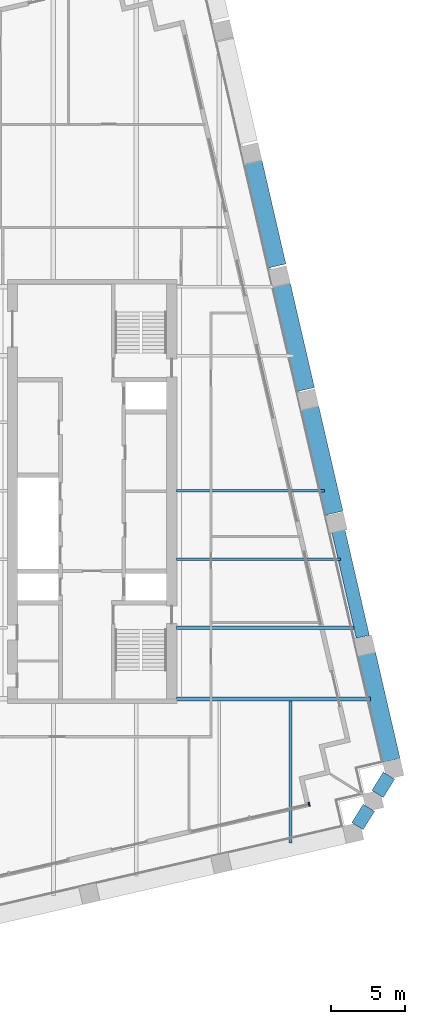
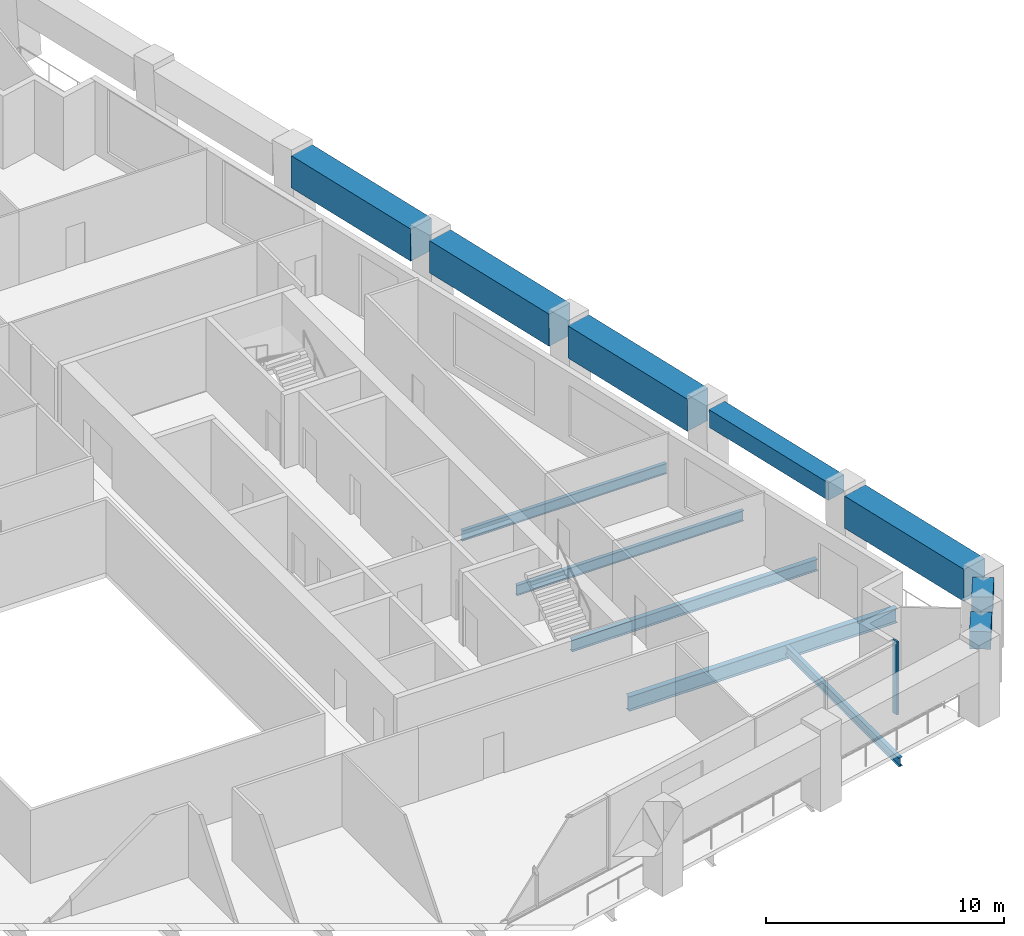
# One storey, part 5 of 14: 12 beams, 1 member, 1 element without a shape of its own.
"""IFC4 building model written with IfcOpenShell, lengths in metres."""

import ifcopenshell
import ifcopenshell.guid

model = None  # the IFC model being written
_history = None  # IfcOwnerHistory: only IFC2X3 demands one
_inside = {}  # id of a spatial element -> (the spatial element, [elements in it])
_under = {}  # id of a project, library or spatial element -> (it, [spatial elements below it])
_declared = {}  # id of a project -> (the project, [libraries it declares])
_typed = {}  # id of a type object -> (the type object, [elements of that type])
_made_of = {}  # id of a material, layer set ... -> (it, [elements and type objects made of it])


def new_model(schema):
    """Start an empty IFC model of exactly this schema.

    Asked for "IFC4X3", IfcOpenShell would pick the latest addendum, in which some entities
    have other attributes; the version numbers below select the first issue.
    IFC2X3 requires an IfcOwnerHistory on every rooted entity: one is made here for all.
    """
    global model, _history
    if schema == "IFC4X3":
        model = ifcopenshell.file(schema_version=(4, 3, 0, 0))
    else:
        model = ifcopenshell.file(schema=schema)
    _inside.clear()
    _under.clear()
    _declared.clear()
    _typed.clear()
    _made_of.clear()
    _history = None
    if model.schema == "IFC2X3":
        org = make("IfcOrganization", Name="unknown")
        user = make(
            "IfcPersonAndOrganization",
            ThePerson=make("IfcPerson", FamilyName="unknown"),
            TheOrganization=org,
        )
        app = make(
            "IfcApplication",
            ApplicationDeveloper=org,
            Version="unknown",
            ApplicationFullName="unknown",
            ApplicationIdentifier="unknown",
        )
        _history = make(
            "IfcOwnerHistory",
            OwningUser=user,
            OwningApplication=app,
            ChangeAction="ADDED",
            CreationDate=0,
        )
    return model


def make(cls, **values):
    """One entity of the class cls with the attributes given. An attribute that is None is left unset."""
    return model.create_entity(
        cls, **{name: value for name, value in values.items() if value is not None}
    )


def rooted(cls, **values):
    """An entity with a GlobalId (a new one), such as an element, a storey or a relation."""
    return make(cls, GlobalId=ifcopenshell.guid.new(), OwnerHistory=_history, **values)


def si_unit(unit_type, name, prefix=None):
    """IfcSIUnit, for example si_unit("LENGTHUNIT", "METRE", prefix="MILLI")."""
    return make("IfcSIUnit", UnitType=unit_type, Prefix=prefix, Name=name)


def assignment(units):
    """IfcUnitAssignment: the units of a project."""
    return None if units is None else make("IfcUnitAssignment", Units=units)


def point(xyz):
    """IfcCartesianPoint."""
    return None if xyz is None else make("IfcCartesianPoint", Coordinates=xyz)


def direction(xyz):
    """IfcDirection."""
    return None if xyz is None else make("IfcDirection", DirectionRatios=xyz)


def frame(location, z_axis=None, x_axis=None):
    """IfcAxis2Placement3D, a coordinate frame: its origin and axes. An axis left out is left unset."""
    return make(
        "IfcAxis2Placement3D",
        Location=point(location),
        Axis=direction(z_axis),
        RefDirection=direction(x_axis),
    )


def frame_2d(location, x_axis=None):
    """IfcAxis2Placement2D, a coordinate frame in the plane: its origin and x axis."""
    return make(
        "IfcAxis2Placement2D", Location=point(location), RefDirection=direction(x_axis)
    )


def origin():
    """The frame at (0, 0, 0) with its axes left unset."""
    return frame((0.0, 0.0, 0.0))


def origin_2d():
    """The frame at (0, 0) in the plane with its x axis left unset."""
    return frame_2d((0.0, 0.0))


def place(relative_to, where):
    """IfcLocalPlacement: puts the frame where relative to a parent placement (None: the world)."""
    return make(
        "IfcLocalPlacement", PlacementRelTo=relative_to, RelativePlacement=where
    )


def context(
    kind, dimensions, precision=None, world=None, true_north=None, identifier=None
):
    """IfcGeometricRepresentationContext, for example the 3D "Model" context."""
    return make(
        "IfcGeometricRepresentationContext",
        ContextIdentifier=identifier,
        ContextType=kind,
        CoordinateSpaceDimension=dimensions,
        Precision=precision,
        WorldCoordinateSystem=world,
        TrueNorth=true_north,
    )


def subcontext(parent, identifier, kind, view, scale=None):
    """IfcGeometricRepresentationSubContext, for example "Body" below "Model"."""
    return make(
        "IfcGeometricRepresentationSubContext",
        ContextIdentifier=identifier,
        ContextType=kind,
        ParentContext=parent,
        TargetScale=scale,
        TargetView=view,
    )


def project(units=None, contexts=None):
    """IfcProject with its units and contexts."""
    return rooted(
        "IfcProject",
        Name="project",
        RepresentationContexts=contexts,
        UnitsInContext=assignment(units),
    )


def spatial(cls, under=None, at=None, **own):
    """A site, building, storey or space (cls), placed at a placement, below another one or the project."""
    s = rooted(cls, ObjectPlacement=at, **own)
    if under is not None:
        _under.setdefault(under.id(), (under, []))[1].append(s)
    return s


def profile(cls, at=None, kind="AREA", **sizes):
    """A parametric profile (cls). Its sizes go by their IFC names, for example OverallWidth=200.0."""
    return make(cls, ProfileType=kind, Position=at, **sizes)


def rectangle(**sizes):
    """IfcRectangleProfileDef."""
    return profile("IfcRectangleProfileDef", **sizes)


def i_section(**sizes):
    """IfcIShapeProfileDef."""
    return profile("IfcIShapeProfileDef", **sizes)


def extrude(swept, where, along, depth):
    """IfcExtrudedAreaSolid: the profile swept, set in the frame where, extruded along a direction by depth."""
    return make(
        "IfcExtrudedAreaSolid",
        SweptArea=swept,
        Position=where,
        ExtrudedDirection=direction(along),
        Depth=depth,
    )


def shape(context_of_items, identifier, shape_type, items):
    """IfcShapeRepresentation: the items that make up one representation, for example the "Body"."""
    return make(
        "IfcShapeRepresentation",
        ContextOfItems=context_of_items,
        RepresentationIdentifier=identifier,
        RepresentationType=shape_type,
        Items=items,
    )


def material(Name=None, Category=None):
    """IfcMaterial."""
    return make("IfcMaterial", Name=Name, Category=Category)


def material_profile(
    of_material, cross_section, Name=None, Category=None, Priority=None
):
    """IfcMaterialProfile: a cross section and its material."""
    return make(
        "IfcMaterialProfile",
        Name=Name,
        Material=of_material,
        Profile=cross_section,
        Priority=Priority,
        Category=Category,
    )


def profile_set(profiles, Name=None, composite=None):
    """IfcMaterialProfileSet."""
    return make(
        "IfcMaterialProfileSet",
        Name=Name,
        MaterialProfiles=profiles,
        CompositeProfile=composite,
    )


def made_of(thing, what):
    """Note that an element or type object is made of a material, layer set ...; save() writes the relation."""
    if what is not None:
        _made_of.setdefault(what.id(), (what, []))[1].append(thing)
    return thing


def type_object(cls, material=None, **own):
    """A type object (cls), such as IfcWallType, which elements share."""
    return made_of(rooted(cls, **own), material)


def element(
    cls,
    number,
    at=None,
    inside=None,
    cuts=None,
    type_object=None,
    material=None,
    context=None,
    identifier="Body",
    shape_type=None,
    held_by="IfcProductDefinitionShape",
    body=None,
    shapes=None,
    **own,
):
    """One element of the class cls, such as IfcWall. Its Tag is "e" and its number.

    at: its placement. inside: the storey or other place that contains it. cuts: it is an
    opening in that element (IfcRelVoidsElement). A single representation is given by context,
    identifier, shape_type and body (its items); several are given by shapes. held_by: the class
    of the entity that holds the representations. save() writes the other relations.
    """
    e = rooted(cls, Tag="e%d" % number, ObjectPlacement=at, **own)
    if body is not None:
        shapes = [shape(context, identifier, shape_type, body)]
    if shapes is not None:
        e.Representation = make(held_by, Representations=shapes)
    if inside is not None:
        _inside.setdefault(inside.id(), (inside, []))[1].append(e)
    if cuts is not None:
        rooted(
            "IfcRelVoidsElement", RelatingBuildingElement=cuts, RelatedOpeningElement=e
        )
    if type_object is not None:
        _typed.setdefault(type_object.id(), (type_object, []))[1].append(e)
    return made_of(e, material)


def aggregate(whole, parts):
    """IfcRelAggregates: a whole, such as a stair, and the parts it consists of."""
    return rooted("IfcRelAggregates", RelatingObject=whole, RelatedObjects=parts)


def save(model, path):
    """Write the relations noted so far, then the file.

    IfcRelAggregates (storeys below a building ...), IfcRelContainedInSpatialStructure (elements
    in a storey), IfcRelDefinesByType, IfcRelAssociatesMaterial and IfcRelDeclares: one each for
    every whole, place, type object, material and project.
    """
    for whole, parts in _under.values():
        aggregate(whole, parts)
    for where, things in _inside.values():
        rooted(
            "IfcRelContainedInSpatialStructure",
            RelatedElements=things,
            RelatingStructure=where,
        )
    for kind, things in _typed.values():
        rooted("IfcRelDefinesByType", RelatedObjects=things, RelatingType=kind)
    for what, things in _made_of.values():
        rooted("IfcRelAssociatesMaterial", RelatedObjects=things, RelatingMaterial=what)
    for by, libraries in _declared.values():
        rooted("IfcRelDeclares", RelatingContext=by, RelatedDefinitions=libraries)
    model.write(path)


model = new_model("IFC4")

# Units and contexts
model_context = context("Model", 3, precision=1e-05, world=origin(), true_north=direction((0.0, 1.0)))
body_context = subcontext(model_context, "Body", "Model", "MODEL_VIEW")
ifc_project = project(units=[si_unit("LENGTHUNIT", "METRE"), si_unit("AREAUNIT", "SQUARE_METRE"), si_unit("VOLUMEUNIT", "CUBIC_METRE"), si_unit("PLANEANGLEUNIT", "RADIAN"), si_unit("MASSUNIT", "GRAM", prefix="KILO")], contexts=[model_context])

# Site, building, storey
site_placement = place(None, origin())
site = spatial("IfcSite", under=ifc_project, at=site_placement, CompositionType="ELEMENT")
building_placement = place(site_placement, origin())
building = spatial("IfcBuilding", under=site, at=building_placement, Name="Ogive Exchange Tower", CompositionType="ELEMENT")
storey_placement = place(building_placement, frame((0.0, 0.0, 222.0)))
storey = spatial("IfcBuildingStorey", under=building, at=storey_placement, Name="L49", CompositionType="ELEMENT", Elevation=222.0)

# Curtain wall, member
ifc_material_1 = material(Name="Anodised aluminium and clear glass", Category="aluminium")
curtain_wall_type = type_object("IfcCurtainWallType", Name="Executive floor glazing", PredefinedType="NOTDEFINED", material=ifc_material_1)
curtain_wall_placement = place(storey_placement, origin())
curtain_wall = element("IfcCurtainWall", 1, at=curtain_wall_placement, inside=storey, type_object=curtain_wall_type, Name="Executive floor glazing run G6", PredefinedType="NOTDEFINED")
ifc_material_2 = material(Name="Anodised aluminium", Category="aluminium")
ifc_material_profile_1 = material_profile(ifc_material_2, rectangle(XDim=0.280029296875, YDim=0.10009765625, at=origin_2d()), Name="AL 100x280")
ifc_profile_set_1 = profile_set([ifc_material_profile_1], Name="Anodised aluminium")
member_type = type_object("IfcMemberType", Name="Executive floor glazing mullion 100 x 280", PredefinedType="MULLION", material=ifc_profile_set_1)
member_placement = place(storey_placement, frame((30.590576171875, -9.533447265625, 0.0), z_axis=(0.0, 0.0, 1.0), x_axis=(-0.224951017509, 0.974370073289, 0.0)))
member = element("IfcMember", 2, at=member_placement, type_object=member_type, Name="G6 mullion 3", PredefinedType="MULLION", context=body_context, shape_type="SweptSolid", body=[
    extrude(rectangle(XDim=0.280029296875, YDim=0.10009765625, at=origin_2d()), origin(), (0.0, 0.0, 1.0), 3.75),
])
aggregate(curtain_wall, [member])

# Beams
ifc_material_3 = material(Name="Steel ASTM A992 Gr50", Category="steel")
ifc_material_profile_2 = material_profile(ifc_material_3, i_section(OverallWidth=0.19091796875, OverallDepth=0.45703125, WebThickness=0.009033203125, FlangeThickness=0.014404296875, at=origin_2d()), Name="W460x74")
ifc_profile_set_2 = profile_set([ifc_material_profile_2], Name="Steel ASTM A992 Gr50")
beam_type_1 = type_object("IfcBeamType", Name="Floor beam W460x74", PredefinedType="JOIST", material=ifc_profile_set_2)
beam_1_placement = place(storey_placement, frame((29.333740234375, -12.128662109375, -0.478515625), z_axis=(0.0, 1.0, 0.0), x_axis=(-1.0, 0.0, 0.0)))
element("IfcBeam", 3, at=beam_1_placement, inside=storey, type_object=beam_type_1, Name="Floor beam", PredefinedType="JOIST", context=body_context, shape_type="SweptSolid", body=[
    extrude(i_section(OverallWidth=0.19091796875, OverallDepth=0.45703125, WebThickness=0.009033203125, FlangeThickness=0.014404296875, at=origin_2d()), origin(), (0.0, 0.0, 1.0), 9.550048828125),
])
ifc_material_profile_3 = material_profile(ifc_material_3, i_section(OverallWidth=0.1669921875, OverallDepth=0.535888671875, WebThickness=0.01025390625, FlangeThickness=0.0166015625, at=origin_2d()), Name="W530x85")
ifc_profile_set_3 = profile_set([ifc_material_profile_3], Name="Steel ASTM A992 Gr50")
beam_type_2 = type_object("IfcBeamType", Name="Floor beam W530x85", PredefinedType="JOIST", material=ifc_profile_set_3)
beam_2_placement = place(storey_placement, frame((21.679931640625, 6.9326171875, -0.51806640625), z_axis=(1.0, 0.0, 0.0), x_axis=(0.0, 1.0, 0.0)))
element("IfcBeam", 4, at=beam_2_placement, inside=storey, type_object=beam_type_2, Name="Floor beam", PredefinedType="JOIST", context=body_context, shape_type="SweptSolid", body=[
    extrude(i_section(OverallWidth=0.1669921875, OverallDepth=0.535888671875, WebThickness=0.01025390625, FlangeThickness=0.0166015625, at=origin_2d()), origin(), (0.0, 0.0, 1.0), 11.00634765625),
])
beam_3_placement = place(storey_placement, frame((21.679931640625, 11.543701171875, -0.51806640625), z_axis=(1.0, 0.0, 0.0), x_axis=(0.0, 1.0, 0.0)))
element("IfcBeam", 5, at=beam_3_placement, inside=storey, type_object=beam_type_2, Name="Floor beam", PredefinedType="JOIST", context=body_context, shape_type="SweptSolid", body=[
    extrude(i_section(OverallWidth=0.1669921875, OverallDepth=0.535888671875, WebThickness=0.01025390625, FlangeThickness=0.0166015625, at=origin_2d()), origin(), (0.0, 0.0, 1.0), 9.941650390625),
])
ifc_material_profile_4 = material_profile(ifc_material_3, i_section(OverallWidth=0.22802734375, OverallDepth=0.60205078125, WebThickness=0.010498046875, FlangeThickness=0.014892578125, at=origin_2d()), Name="W610x101")
ifc_profile_set_4 = profile_set([ifc_material_profile_4], Name="Steel ASTM A992 Gr50")
beam_type_3 = type_object("IfcBeamType", Name="Floor beam W610x101", PredefinedType="JOIST", material=ifc_profile_set_4)
beam_4_placement = place(storey_placement, frame((21.679931640625, 2.3212890625, -0.551025390625), z_axis=(1.0, 0.0, 0.0), x_axis=(0.0, 1.0, 0.0)))
element("IfcBeam", 6, at=beam_4_placement, inside=storey, type_object=beam_type_3, Name="Floor beam", PredefinedType="JOIST", context=body_context, shape_type="SweptSolid", body=[
    extrude(i_section(OverallWidth=0.22802734375, OverallDepth=0.60205078125, WebThickness=0.010498046875, FlangeThickness=0.014892578125, at=origin_2d()), origin(), (0.0, 0.0, 1.0), 11.9208984375),
])
ifc_material_profile_5 = material_profile(ifc_material_3, i_section(OverallWidth=0.26708984375, OverallDepth=0.75390625, WebThickness=0.01318359375, FlangeThickness=0.01708984375, at=origin_2d()), Name="W760x147")
ifc_profile_set_5 = profile_set([ifc_material_profile_5], Name="Steel ASTM A992 Gr50")
beam_type_4 = type_object("IfcBeamType", Name="Girder W760x147", PredefinedType="BEAM", material=ifc_profile_set_5)
beam_5_placement = place(storey_placement, frame((21.679931640625, -2.445068359375, -0.626953125), z_axis=(1.0, 0.0, 0.0), x_axis=(0.0, 1.0, 0.0)))
element("IfcBeam", 7, at=beam_5_placement, inside=storey, type_object=beam_type_4, Name="Header girder", PredefinedType="BEAM", context=body_context, shape_type="SweptSolid", body=[
    extrude(i_section(OverallWidth=0.26708984375, OverallDepth=0.75390625, WebThickness=0.01318359375, FlangeThickness=0.01708984375, at=origin_2d()), origin(), (0.0, 0.0, 1.0), 13.021484375),
])
ifc_material_4 = material(Name="Precast concrete C70/85 (limestone faced)", Category="masonry")
ifc_material_profile_6 = material_profile(ifc_material_4, rectangle(XDim=1.199951171875, YDim=1.64990234375, at=origin_2d()), Name="1200 x 1650")
ifc_profile_set_6 = profile_set([ifc_material_profile_6], Name="Precast concrete C70/85 (limestone faced)")
beam_type_5 = type_object("IfcBeamType", Name="Precast portal sill beam 1200 x 1650 C70/85", PredefinedType="BEAM", material=ifc_profile_set_6)
for number, where, z_axis, x_axis, name in (
    (8, (36.11865234375, -6.584228515625, 3.125), (-0.224936950795, 0.974373320739, 0.0), (-0.974373320739, -0.224936950795, 0.0), "Slot sill beam 9"),
    (9, (32.2822265625, 10.03369140625, 3.125), (-0.224936950795, 0.974373320739, 0.0), (-0.974373320739, -0.224936950795, 0.0), "Slot sill beam 11"),
):
    element("IfcBeam", number, at=place(storey_placement, frame(where, z_axis=z_axis, x_axis=x_axis)), inside=storey, type_object=beam_type_5, Name=name, PredefinedType="BEAM", context=body_context, shape_type="SweptSolid", body=[
        extrude(rectangle(XDim=1.199951171875, YDim=1.64990234375, at=origin_2d()), origin(), (0.0, 0.0, 1.0), 7.367431640625),
    ])
beam_6_placement = place(storey_placement, frame((30.364013671875, 18.342529296875, 3.125), z_axis=(-0.224968411241, 0.974366057467, 0.0), x_axis=(-0.974366057467, -0.224968411241, 0.0)))
element("IfcBeam", 10, at=beam_6_placement, inside=storey, type_object=beam_type_5, Name="Slot sill beam 12", PredefinedType="BEAM", context=body_context, shape_type="SweptSolid", body=[
    extrude(rectangle(XDim=1.199951171875, YDim=1.64990234375, at=origin_2d()), origin(), (0.0, 0.0, 1.0), 7.36767578125),
])
beam_7_placement = place(storey_placement, frame((28.44580078125, 26.651611328125, 3.125), z_axis=(-0.224975675195, 0.974364380286, 0.0), x_axis=(-0.974364380286, -0.224975675195, 0.0)))
element("IfcBeam", 11, at=beam_7_placement, inside=storey, type_object=beam_type_5, Name="Slot sill beam 13", PredefinedType="BEAM", context=body_context, shape_type="SweptSolid", body=[
    extrude(rectangle(XDim=1.199951171875, YDim=1.64990234375, at=origin_2d()), origin(), (0.0, 0.0, 1.0), 7.367431640625),
])
ifc_material_profile_7 = material_profile(ifc_material_4, rectangle(XDim=0.89990234375, YDim=0.89990234375, at=origin_2d()), Name="900 x 900")
ifc_profile_set_7 = profile_set([ifc_material_profile_7], Name="Precast concrete C70/85 (limestone faced)")
beam_type_6 = type_object("IfcBeamType", Name="Precast spandrel 900 x 900 C70/85", PredefinedType="SPANDREL", material=ifc_profile_set_7)
for number, where, z_axis, x_axis, name in (
    (12, (33.842041015625, -11.001708984375, 3.5), (0.529877740036, 0.848074041941, 0.0), (-0.848074041941, 0.529877740036, 0.0), "Spandrel 7"),
    (13, (35.19091796875, -8.843017578125, 3.5), (0.529877740036, 0.848074041941, 0.0), (-0.848074041941, 0.529877740036, 0.0), "Spandrel 8"),
):
    element("IfcBeam", number, at=place(storey_placement, frame(where, z_axis=z_axis, x_axis=x_axis)), inside=storey, type_object=beam_type_6, Name=name, PredefinedType="SPANDREL", context=body_context, shape_type="SweptSolid", body=[
        extrude(rectangle(XDim=0.89990234375, YDim=0.89990234375, at=origin_2d()), origin(), (0.0, 0.0, 1.0), 1.448486328125),
    ])
beam_8_placement = place(storey_placement, frame((34.200439453125, 1.724853515625, 3.5), z_axis=(-0.224944213841, 0.974371644014, 0.0), x_axis=(-0.974371644014, -0.224944213841, 0.0)))
element("IfcBeam", 14, at=beam_8_placement, inside=storey, type_object=beam_type_6, Name="Spandrel 10", PredefinedType="SPANDREL", context=body_context, shape_type="SweptSolid", body=[
    extrude(rectangle(XDim=0.89990234375, YDim=0.89990234375, at=origin_2d()), origin(), (0.0, 0.0, 1.0), 7.3671875),
])

save(model, "model.ifc")
